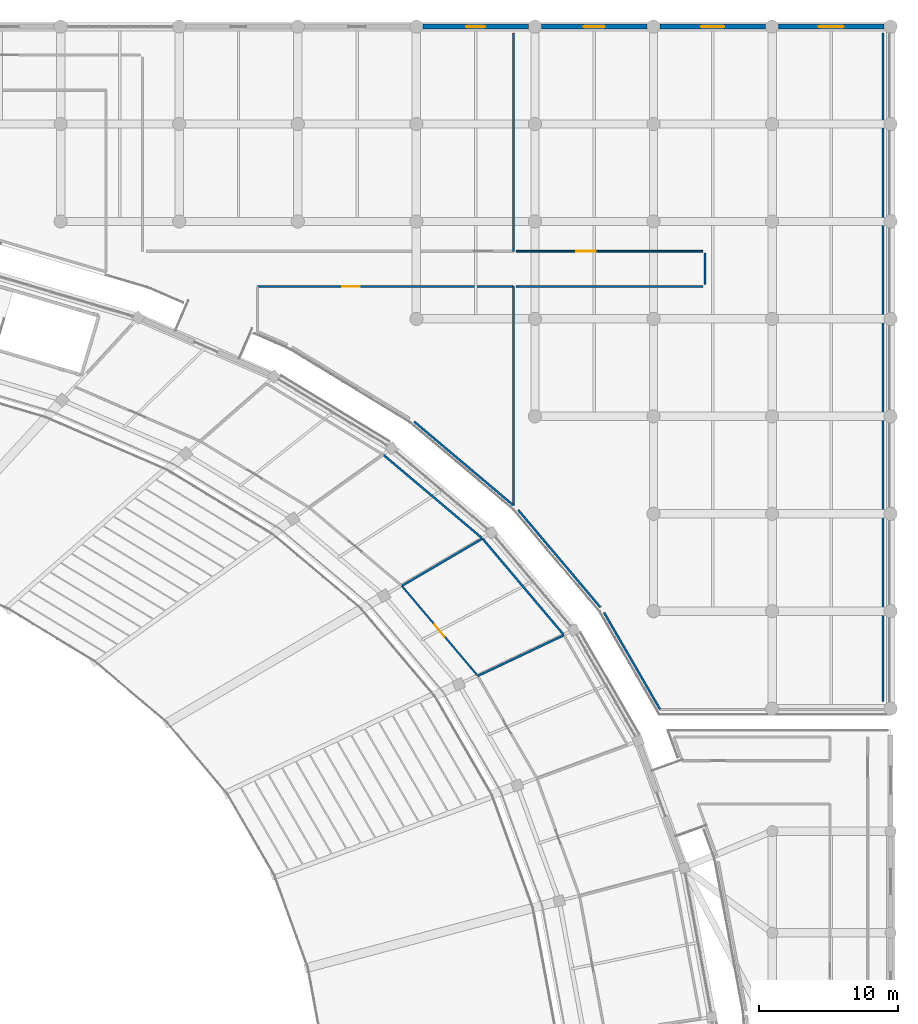
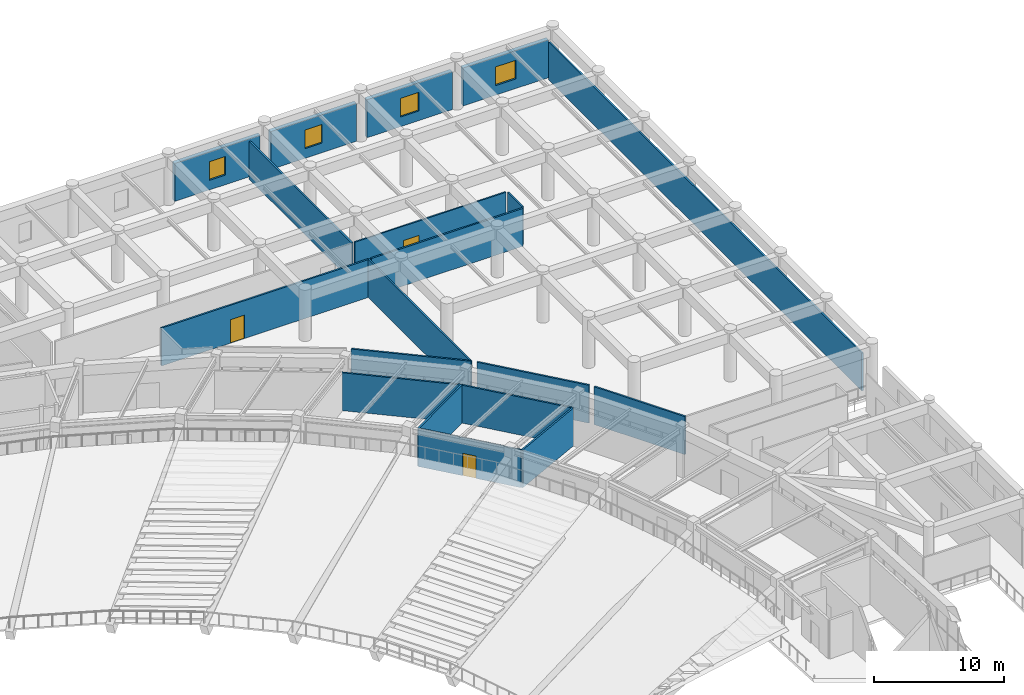
# One storey, part 108 of 137: 19 walls, 4 windows, 3 doors, 7 openings.
"""IFC4 building model written with IfcOpenShell, lengths in metres."""

from ifc_helpers import new_model, si_unit, direction, frame, frame_2d, origin, place, context, subcontext, project, spatial, rectangle, extrude, material, layer, layer_set, type_object, element, fill, save


model = new_model("IFC4")

# Units and contexts
model_context = context("Model", 3, precision=1e-05, world=origin(), true_north=direction((0.0, 1.0)))
body_context = subcontext(model_context, "Body", "Model", "MODEL_VIEW")
ifc_project = project(units=[si_unit("LENGTHUNIT", "METRE"), si_unit("AREAUNIT", "SQUARE_METRE"), si_unit("VOLUMEUNIT", "CUBIC_METRE"), si_unit("PLANEANGLEUNIT", "RADIAN"), si_unit("MASSUNIT", "GRAM", prefix="KILO")], contexts=[model_context])

# Site, building, storey
site_placement = place(None, origin())
site = spatial("IfcSite", under=ifc_project, at=site_placement, CompositionType="ELEMENT")
building_placement = place(site_placement, origin())
building = spatial("IfcBuilding", under=site, at=building_placement, Name="Mphavela Belvedere Stadium", CompositionType="ELEMENT")
storey_placement = place(building_placement, frame((0.0, 0.0, 19.199951171875)))
storey = spatial("IfcBuildingStorey", under=building, at=storey_placement, Name="L04", CompositionType="ELEMENT", Elevation=19.199951171875)

# Wall, opening, window
ifc_material_1 = material(Name="Honed ashlar limestone masonry", Category="masonry")
ifc_layer_1 = layer(ifc_material_1, 0.35009765625)
ifc_layer_set_1 = layer_set([ifc_layer_1], Name="Honed ashlar limestone masonry")
wall_type_1 = type_object("IfcWallType", Name="WAL-EXT-ASHLAR-350", PredefinedType="STANDARD", material=ifc_layer_set_1)
wall_1_placement = place(storey_placement, frame((196.39892578125, 174.0, 0.0), z_axis=(0.0, 0.0, 1.0), x_axis=(1.0, 0.0, 0.0)))
wall_1 = element("IfcWall", 1, at=wall_1_placement, inside=storey, type_object=wall_type_1, Name="North Mast and Ceremonial End Forecourt outer facade bay L04-24", PredefinedType="STANDARD", context=body_context, shape_type="SweptSolid", body=[
    extrude(rectangle(XDim=7.572021484375, YDim=0.35009765625, at=frame_2d((3.7861328125, 0.0))), origin(), (0.0, 0.0, 1.0), 3.56005859375),
])
opening_1_placement = place(wall_1_placement, frame((3.095947265625, 0.0, 0.89990234375)))
opening_1 = element("IfcOpeningElement", 2, at=opening_1_placement, cuts=wall_1, Name="Opening W-234", PredefinedType="OPENING", context=body_context, shape_type="SweptSolid", body=[
    extrude(rectangle(XDim=1.3798828125, YDim=1.75, at=frame_2d((0.68994140625, 0.875))), frame((0.0, 0.18505859375, 0.0), z_axis=(0.0, -1.0, 0.0), x_axis=(1.0, 0.0, 0.0)), (0.0, 0.0, 1.0), 0.3701171875),
])
ifc_material_2 = material(Name="Bronze-anodised thermally broken aluminium window", Category="aluminium")
window_type_1 = type_object("IfcWindowType", Name="WIN-EXT-14", PartitioningType="SINGLE_PANEL", PredefinedType="WINDOW", material=ifc_material_2)
window_1_placement = place(opening_1_placement, origin())
window_1 = element("IfcWindow", 3, at=window_1_placement, inside=storey, type_object=window_type_1, Name="North Mast and Ceremonial End Forecourt classical window W-234", OverallHeight=1.75, OverallWidth=1.3798828125, PartitioningType="SINGLE_PANEL", PredefinedType="WINDOW", context=body_context, shape_type="SweptSolid", body=[
    extrude(rectangle(XDim=1.3798828125, YDim=1.75, at=frame_2d((0.68994140625, 0.875))), frame((0.0, 0.030029296875, 0.0), z_axis=(0.0, -1.0, 0.0), x_axis=(1.0, 0.0, 0.0)), (0.0, 0.0, 1.0), 0.06005859375),
])
fill(opening_1, window_1)

wall_2_placement = place(storey_placement, frame((204.9169921875, 174.0, 0.0), z_axis=(0.0, 0.0, 1.0), x_axis=(1.0, 0.0, 0.0)))
wall_2 = element("IfcWall", 4, at=wall_2_placement, inside=storey, type_object=wall_type_1, Name="North Mast and Ceremonial End Forecourt outer facade bay L04-25", PredefinedType="STANDARD", context=body_context, shape_type="SweptSolid", body=[
    extrude(rectangle(XDim=7.572998046875, YDim=0.35009765625, at=frame_2d((3.78662109375, 0.0))), origin(), (0.0, 0.0, 1.0), 3.56005859375),
])
opening_2_placement = place(wall_2_placement, frame((3.026611328125, 0.0, 0.89990234375)))
opening_2 = element("IfcOpeningElement", 5, at=opening_2_placement, cuts=wall_2, Name="Opening W-235", PredefinedType="OPENING", context=body_context, shape_type="SweptSolid", body=[
    extrude(rectangle(XDim=1.52001953125, YDim=1.75, at=frame_2d((0.760009765625, 0.875))), frame((0.0, 0.18505859375, 0.0), z_axis=(0.0, -1.0, 0.0), x_axis=(1.0, 0.0, 0.0)), (0.0, 0.0, 1.0), 0.3701171875),
])
ifc_material_3 = material(Name="Bronze-anodised thermally broken aluminium window", Category="aluminium")
window_type_2 = type_object("IfcWindowType", Name="WIN-EXT-15", PartitioningType="SINGLE_PANEL", PredefinedType="WINDOW", material=ifc_material_3)
window_2_placement = place(opening_2_placement, origin())
window_2 = element("IfcWindow", 6, at=window_2_placement, inside=storey, type_object=window_type_2, Name="North Mast and Ceremonial End Forecourt classical window W-235", OverallHeight=1.75, OverallWidth=1.52001953125, PartitioningType="SINGLE_PANEL", PredefinedType="WINDOW", context=body_context, shape_type="SweptSolid", body=[
    extrude(rectangle(XDim=1.52001953125, YDim=1.75, at=frame_2d((0.760009765625, 0.875))), frame((0.0, 0.030029296875, 0.0), z_axis=(0.0, -1.0, 0.0), x_axis=(1.0, 0.0, 0.0)), (0.0, 0.0, 1.0), 0.06005859375),
])
fill(opening_2, window_2)

wall_3_placement = place(storey_placement, frame((213.43603515625, 174.0, 0.0), z_axis=(0.0, 0.0, 1.0), x_axis=(1.0, 0.0, 0.0)))
wall_3 = element("IfcWall", 7, at=wall_3_placement, inside=storey, type_object=wall_type_1, Name="North Mast and Ceremonial End Forecourt outer facade bay L04-26", PredefinedType="STANDARD", context=body_context, shape_type="SweptSolid", body=[
    extrude(rectangle(XDim=7.572021484375, YDim=0.35009765625, at=frame_2d((3.7861328125, 0.0))), origin(), (0.0, 0.0, 1.0), 3.56005859375),
])
opening_3_placement = place(wall_3_placement, frame((2.9560546875, 0.0, 0.89990234375)))
opening_3 = element("IfcOpeningElement", 8, at=opening_3_placement, cuts=wall_3, Name="Opening W-236", PredefinedType="OPENING", context=body_context, shape_type="SweptSolid", body=[
    extrude(rectangle(XDim=1.659912109375, YDim=1.75, at=frame_2d((0.830078125, 0.875))), frame((0.0, 0.18505859375, 0.0), z_axis=(0.0, -1.0, 0.0), x_axis=(1.0, 0.0, 0.0)), (0.0, 0.0, 1.0), 0.3701171875),
])
ifc_material_4 = material(Name="Bronze-anodised thermally broken aluminium window", Category="aluminium")
window_type_3 = type_object("IfcWindowType", Name="WIN-EXT-16", PartitioningType="SINGLE_PANEL", PredefinedType="WINDOW", material=ifc_material_4)
window_3_placement = place(opening_3_placement, origin())
window_3 = element("IfcWindow", 9, at=window_3_placement, inside=storey, type_object=window_type_3, Name="North Mast and Ceremonial End Forecourt classical window W-236", OverallHeight=1.75, OverallWidth=1.659912109375, PartitioningType="SINGLE_PANEL", PredefinedType="WINDOW", context=body_context, shape_type="SweptSolid", body=[
    extrude(rectangle(XDim=1.659912109375, YDim=1.75, at=frame_2d((0.830078125, 0.875))), frame((0.0, 0.030029296875, 0.0), z_axis=(0.0, -1.0, 0.0), x_axis=(1.0, 0.0, 0.0)), (0.0, 0.0, 1.0), 0.06005859375),
])
fill(opening_3, window_3)

wall_4_placement = place(storey_placement, frame((221.9541015625, 174.0, 0.0), z_axis=(0.0, 0.0, 1.0), x_axis=(1.0, 0.0, 0.0)))
wall_4 = element("IfcWall", 10, at=wall_4_placement, inside=storey, type_object=wall_type_1, Name="North Mast and Ceremonial End Forecourt outer facade bay L04-27", PredefinedType="STANDARD", context=body_context, shape_type="SweptSolid", body=[
    extrude(rectangle(XDim=7.572998046875, YDim=0.35009765625, at=frame_2d((3.78662109375, 0.0))), origin(), (0.0, 0.0, 1.0), 3.56005859375),
])
opening_4_placement = place(wall_4_placement, frame((2.886474609375, 0.0, 0.89990234375)))
opening_4 = element("IfcOpeningElement", 11, at=opening_4_placement, cuts=wall_4, Name="Opening W-237", PredefinedType="OPENING", context=body_context, shape_type="SweptSolid", body=[
    extrude(rectangle(XDim=1.800048828125, YDim=1.75, at=frame_2d((0.89990234375, 0.875))), frame((0.0, 0.18505859375, 0.0), z_axis=(0.0, -1.0, 0.0), x_axis=(1.0, 0.0, 0.0)), (0.0, 0.0, 1.0), 0.3701171875),
])
ifc_material_5 = material(Name="Bronze-anodised thermally broken aluminium window", Category="aluminium")
window_type_4 = type_object("IfcWindowType", Name="WIN-EXT-17", PartitioningType="SINGLE_PANEL", PredefinedType="WINDOW", material=ifc_material_5)
window_4_placement = place(opening_4_placement, origin())
window_4 = element("IfcWindow", 12, at=window_4_placement, inside=storey, type_object=window_type_4, Name="North Mast and Ceremonial End Forecourt classical window W-237", OverallHeight=1.75, OverallWidth=1.800048828125, PartitioningType="SINGLE_PANEL", PredefinedType="WINDOW", context=body_context, shape_type="SweptSolid", body=[
    extrude(rectangle(XDim=1.800048828125, YDim=1.75, at=frame_2d((0.89990234375, 0.875))), frame((0.0, 0.030029296875, 0.0), z_axis=(0.0, -1.0, 0.0), x_axis=(1.0, 0.0, 0.0)), (0.0, 0.0, 1.0), 0.06005859375),
])
fill(opening_4, window_4)

# Wall, opening, door
ifc_material_6 = material(Name="Moisture-resistant sanitary partition assembly")
ifc_layer_2 = layer(ifc_material_6, 0.125)
ifc_layer_set_2 = layer_set([ifc_layer_2], Name="Moisture-resistant sanitary partition assembly")
wall_type_2 = type_object("IfcWallType", Name="WAL-PART-125", PredefinedType="PARTITIONING", material=ifc_layer_set_2)
wall_5_placement = place(storey_placement, frame((200.29150390625, 127.41552734375, 0.0), z_axis=(0.0, 0.0, 1.0), x_axis=(-0.645175528474, 0.764034382379, 0.0)))
wall_5 = element("IfcWall", 13, at=wall_5_placement, inside=storey, type_object=wall_type_2, Name="Room L04-41 corridor partition", PredefinedType="PARTITIONING", context=body_context, shape_type="SweptSolid", body=[
    extrude(rectangle(XDim=8.382568359375, YDim=0.125, at=frame_2d((4.19140625, 0.0))), origin(), (0.0, 0.0, 1.0), 3.550048828125),
])
opening_5_placement = place(wall_5_placement, frame((3.64111328125, 0.0, 0.0)))
opening_5 = element("IfcOpeningElement", 14, at=opening_5_placement, cuts=wall_5, Name="Opening ID-330", PredefinedType="OPENING", context=body_context, shape_type="SweptSolid", body=[
    extrude(rectangle(XDim=1.10009765625, YDim=2.10009765625, at=frame_2d((0.550048828125, 1.050048828125))), frame((0.0, 0.072509765625, 0.0), z_axis=(0.0, -1.0, 0.0), x_axis=(1.0, 0.0, 0.0)), (0.0, 0.0, 1.0), 0.14501953125),
])
ifc_material_7 = material(Name="Hardwood acoustic timber doorset", Category="wood")
door_type_1 = type_object("IfcDoorType", Name="DR-INT-06", OperationType="NOTDEFINED", PredefinedType="DOOR", material=ifc_material_7)
door_1_placement = place(opening_5_placement, origin())
door_1 = element("IfcDoor", 15, at=door_1_placement, inside=storey, type_object=door_type_1, Name="Room L04-41 entrance door ID-330", OperationType="SINGLE_SWING_RIGHT", OverallHeight=2.10009765625, OverallWidth=1.10009765625, PredefinedType="DOOR", context=body_context, shape_type="SweptSolid", body=[
    extrude(rectangle(XDim=1.10009765625, YDim=2.10009765625, at=frame_2d((0.550048828125, 1.050048828125))), frame((0.0, 0.02490234375, 0.0), z_axis=(0.0, -1.0, 0.0), x_axis=(1.0, 0.0, 0.0)), (0.0, 0.0, 1.0), 0.050048828125),
])
fill(opening_5, door_1)

wall_6_placement = place(storey_placement, frame((216.5, 157.860107421875, 0.0), z_axis=(0.0, 0.0, 1.0), x_axis=(-1.0, 0.0, 0.0)))
wall_6 = element("IfcWall", 16, at=wall_6_placement, inside=storey, type_object=wall_type_2, Name="Room L04-123 corridor partition", PredefinedType="PARTITIONING", context=body_context, shape_type="SweptSolid", body=[
    extrude(rectangle(XDim=13.39990234375, YDim=0.125, at=frame_2d((6.699951171875, 0.0))), origin(), (0.0, 0.0, 1.0), 3.550048828125),
])
opening_6_placement = place(wall_6_placement, frame((7.7041015625, 0.0, 0.0)))
opening_6 = element("IfcOpeningElement", 17, at=opening_6_placement, cuts=wall_6, Name="Opening ID-492", PredefinedType="OPENING", context=body_context, shape_type="SweptSolid", body=[
    extrude(rectangle(XDim=1.39990234375, YDim=2.199951171875, at=frame_2d((0.699951171875, 1.10009765625))), frame((0.0, 0.072509765625, 0.0), z_axis=(0.0, -1.0, 0.0), x_axis=(1.0, 0.0, 0.0)), (0.0, 0.0, 1.0), 0.14501953125),
])
ifc_material_8 = material(Name="Hardwood acoustic timber doorset", Category="wood")
door_type_2 = type_object("IfcDoorType", Name="DR-INT-24", OperationType="NOTDEFINED", PredefinedType="DOOR", material=ifc_material_8)
door_2_placement = place(opening_6_placement, origin())
door_2 = element("IfcDoor", 18, at=door_2_placement, inside=storey, type_object=door_type_2, Name="Room L04-123 entrance door ID-492", OperationType="SINGLE_SWING_RIGHT", OverallHeight=2.199951171875, OverallWidth=1.39990234375, PredefinedType="DOOR", context=body_context, shape_type="SweptSolid", body=[
    extrude(rectangle(XDim=1.39990234375, YDim=2.199951171875, at=frame_2d((0.699951171875, 1.10009765625))), frame((0.0, 0.02490234375, 0.0), z_axis=(0.0, -1.0, 0.0), x_axis=(1.0, 0.0, 0.0)), (0.0, 0.0, 1.0), 0.050048828125),
])
fill(opening_6, door_2)

ifc_material_9 = material(Name="Acoustic gypsum stud partition assembly")
ifc_layer_3 = layer(ifc_material_9, 0.14990234375)
ifc_layer_set_3 = layer_set([ifc_layer_3], Name="Acoustic gypsum stud partition assembly")
wall_type_3 = type_object("IfcWallType", Name="WAL-PART-150", PredefinedType="PARTITIONING", material=ifc_layer_set_3)
wall_7_placement = place(storey_placement, frame((184.510009765625, 155.340087890625, 0.0), z_axis=(0.0, 0.0, 1.0), x_axis=(1.0, 0.0, 0.0)))
wall_7 = element("IfcWall", 19, at=wall_7_placement, inside=storey, type_object=wall_type_3, Name="Room L04-121 corridor partition", PredefinedType="PARTITIONING", context=body_context, shape_type="SweptSolid", body=[
    extrude(rectangle(XDim=18.389892578125, YDim=0.14990234375, at=frame_2d((9.19482421875, 0.0))), origin(), (0.0, 0.0, 1.0), 3.550048828125),
])
opening_7_placement = place(wall_7_placement, frame((6.091552734375, 0.0, 0.0)))
opening_7 = element("IfcOpeningElement", 20, at=opening_7_placement, cuts=wall_7, Name="Opening ID-490", PredefinedType="OPENING", context=body_context, shape_type="SweptSolid", body=[
    extrude(rectangle(XDim=1.260009765625, YDim=2.199951171875, at=frame_2d((0.6298828125, 1.10009765625))), frame((0.0, 0.0849609375, 0.0), z_axis=(0.0, -1.0, 0.0), x_axis=(1.0, 0.0, 0.0)), (0.0, 0.0, 1.0), 0.169921875),
])
ifc_material_10 = material(Name="Hardwood acoustic timber doorset", Category="wood")
door_type_3 = type_object("IfcDoorType", Name="DR-INT-22", OperationType="NOTDEFINED", PredefinedType="DOOR", material=ifc_material_10)
door_3_placement = place(opening_7_placement, origin())
door_3 = element("IfcDoor", 21, at=door_3_placement, inside=storey, type_object=door_type_3, Name="Room L04-121 entrance door ID-490", OperationType="SINGLE_SWING_RIGHT", OverallHeight=2.199951171875, OverallWidth=1.260009765625, PredefinedType="DOOR", context=body_context, shape_type="SweptSolid", body=[
    extrude(rectangle(XDim=1.260009765625, YDim=2.199951171875, at=frame_2d((0.6298828125, 1.10009765625))), frame((0.0, 0.02490234375, 0.0), z_axis=(0.0, -1.0, 0.0), x_axis=(1.0, 0.0, 0.0)), (0.0, 0.0, 1.0), 0.050048828125),
])
fill(opening_7, door_3)

# Walls
wall_8_placement = place(storey_placement, frame((200.337158203125, 127.3486328125, 0.0), z_axis=(0.0, 0.0, 1.0), x_axis=(0.903854618659, 0.427839722709, 0.0)))
element("IfcWall", 22, at=wall_8_placement, inside=storey, type_object=wall_type_3, Name="Room divider partition L04-0591", PredefinedType="PARTITIONING", context=body_context, shape_type="SweptSolid", body=[
    extrude(rectangle(XDim=6.8515625, YDim=0.14990234375, at=frame_2d((3.42578125, 0.0))), origin(), (0.0, 0.0, 1.0), 3.550048828125),
])
wall_9_placement = place(storey_placement, frame((194.88330078125, 133.820068359375, 0.0), z_axis=(0.0, 0.0, 1.0), x_axis=(0.862533364667, 0.506000192527, 0.0)))
element("IfcWall", 23, at=wall_9_placement, inside=storey, type_object=wall_type_3, Name="Room divider partition L04-0593", PredefinedType="PARTITIONING", context=body_context, shape_type="SweptSolid", body=[
    extrude(rectangle(XDim=6.71826171875, YDim=0.14990234375, at=frame_2d((3.359130859375, 0.0))), origin(), (0.0, 0.0, 1.0), 3.550048828125),
])
wall_10_placement = place(storey_placement, frame((200.677978515625, 137.219482421875, 0.0), z_axis=(0.0, 0.0, 1.0), x_axis=(0.645159696095, -0.764047751475, 0.0)))
element("IfcWall", 24, at=wall_10_placement, inside=storey, type_object=wall_type_3, Name="Room divider partition L04-0594", PredefinedType="PARTITIONING", context=body_context, shape_type="SweptSolid", body=[
    extrude(rectangle(XDim=8.99658203125, YDim=0.14990234375, at=frame_2d((4.498291015625, 0.0))), origin(), (0.0, 0.0, 1.0), 3.550048828125),
])
wall_11_placement = place(storey_placement, frame((193.55615234375, 143.23583984375, 0.0), z_axis=(0.0, 0.0, 1.0), x_axis=(0.764260552728, -0.644907596129, 0.0)))
element("IfcWall", 25, at=wall_11_placement, inside=storey, type_object=wall_type_3, Name="Room divider partition L04-0596", PredefinedType="PARTITIONING", context=body_context, shape_type="SweptSolid", body=[
    extrude(rectangle(XDim=9.23974609375, YDim=0.14990234375, at=frame_2d((4.619873046875, 0.0))), origin(), (0.0, 0.0, 1.0), 3.550048828125),
])
wall_12_placement = place(storey_placement, frame((202.89990234375, 155.340087890625, 0.0), z_axis=(0.0, 0.0, 1.0), x_axis=(0.0, -1.0, 0.0)))
element("IfcWall", 26, at=wall_12_placement, inside=storey, type_object=wall_type_3, Name="Room divider partition L04-1107", PredefinedType="PARTITIONING", context=body_context, shape_type="SweptSolid", body=[
    extrude(rectangle(XDim=15.7333984375, YDim=0.14990234375, at=frame_2d((7.86669921875, 0.0))), origin(), (0.0, 0.0, 1.0), 3.550048828125),
])
wall_13_placement = place(storey_placement, frame((202.89990234375, 139.606689453125, 0.0), z_axis=(0.0, 0.0, 1.0), x_axis=(-0.764245949545, 0.644924901523, 0.0)))
element("IfcWall", 27, at=wall_13_placement, inside=storey, type_object=wall_type_3, Name="Room divider partition L04-1108", PredefinedType="PARTITIONING", context=body_context, shape_type="SweptSolid", body=[
    extrude(rectangle(XDim=9.332275390625, YDim=0.14990234375, at=frame_2d((4.666015625, 0.0))), origin(), (0.0, 0.0, 1.0), 3.550048828125),
])
wall_14_placement = place(storey_placement, frame((202.89990234375, 173.550048828125, 0.0), z_axis=(0.0, 0.0, 1.0), x_axis=(0.0, -1.0, 0.0)))
element("IfcWall", 28, at=wall_14_placement, inside=storey, type_object=wall_type_3, Name="Room divider partition L04-1109", PredefinedType="PARTITIONING", context=body_context, shape_type="SweptSolid", body=[
    extrude(rectangle(XDim=15.68994140625, YDim=0.14990234375, at=frame_2d((7.844970703125, 0.0))), origin(), (0.0, 0.0, 1.0), 3.550048828125),
])
wall_15_placement = place(storey_placement, frame((209.152587890625, 132.2744140625, 0.0), z_axis=(0.0, 0.0, 1.0), x_axis=(-0.645180125691, 0.764030500316, 0.0)))
element("IfcWall", 29, at=wall_15_placement, inside=storey, type_object=wall_type_3, Name="Room divider partition L04-1110", PredefinedType="PARTITIONING", context=body_context, shape_type="SweptSolid", body=[
    extrude(rectangle(XDim=9.1513671875, YDim=0.14990234375, at=frame_2d((4.57568359375, 0.0))), origin(), (0.0, 0.0, 1.0), 3.550048828125),
])
wall_16_placement = place(storey_placement, frame((203.10009765625, 155.340087890625, 0.0), z_axis=(0.0, 0.0, 1.0), x_axis=(0.99999997621, 0.00021812629, 0.0)))
element("IfcWall", 30, at=wall_16_placement, inside=storey, type_object=wall_type_3, Name="Room divider partition L04-1111", PredefinedType="PARTITIONING", context=body_context, shape_type="SweptSolid", body=[
    extrude(rectangle(XDim=13.43115234375, YDim=0.14990234375, at=frame_2d((6.715576171875, 0.0))), origin(), (0.0, 0.0, 1.0), 3.550048828125),
])
wall_17_placement = place(storey_placement, frame((216.6591796875, 155.484375, 0.0), z_axis=(0.0, 0.0, 1.0), x_axis=(-0.000977941508, 0.999999521815, 0.0)))
element("IfcWall", 31, at=wall_17_placement, inside=storey, type_object=wall_type_3, Name="Room divider partition L04-1112", PredefinedType="PARTITIONING", context=body_context, shape_type="SweptSolid", body=[
    extrude(rectangle(XDim=2.246826171875, YDim=0.14990234375, at=frame_2d((1.12353515625, 0.0))), origin(), (0.0, 0.0, 1.0), 3.550048828125),
])
wall_18_placement = place(storey_placement, frame((229.449951171875, 173.550048828125, 0.0), z_axis=(0.0, 0.0, 1.0), x_axis=(0.0, -1.0, 0.0)))
element("IfcWall", 32, at=wall_18_placement, inside=storey, type_object=wall_type_3, Name="Room divider partition L04-1113", PredefinedType="PARTITIONING", context=body_context, shape_type="SweptSolid", body=[
    extrude(rectangle(XDim=48.050048828125, YDim=0.14990234375, at=frame_2d((24.02490234375, 0.0))), origin(), (0.0, 0.0, 1.0), 3.550048828125),
])
wall_19_placement = place(storey_placement, frame((213.4326171875, 124.949951171875, 0.0), z_axis=(0.0, 0.0, 1.0), x_axis=(-0.500545605998, 0.865710168773, 0.0)))
element("IfcWall", 33, at=wall_19_placement, inside=storey, type_object=wall_type_3, Name="Room divider partition L04-1115", PredefinedType="PARTITIONING", context=body_context, shape_type="SweptSolid", body=[
    extrude(rectangle(XDim=8.04296875, YDim=0.14990234375, at=frame_2d((4.021484375, 0.0))), origin(), (0.0, 0.0, 1.0), 3.550048828125),
])

save(model, "model.ifc")
